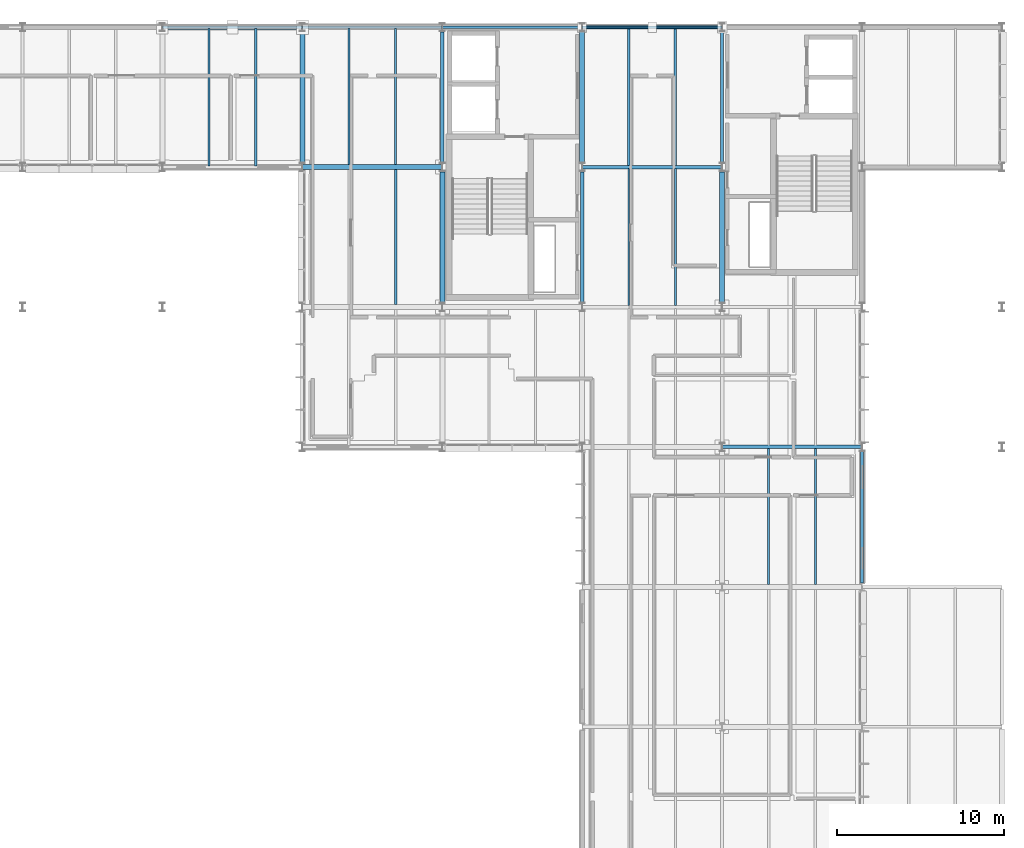
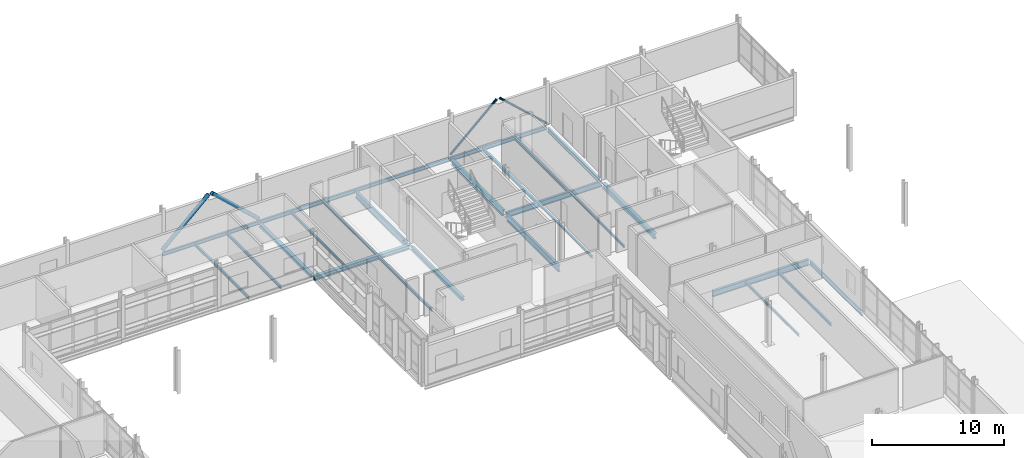
# One storey, part 104 of 151: 26 beams, 4 members.
"""IFC4 building model written with IfcOpenShell, lengths in metres."""

from ifc_helpers import new_model, si_unit, direction, frame, origin, origin_2d, place, context, subcontext, project, spatial, hollow_circle, i_section, extrude, material, material_profile, profile_set, type_object, element, save


model = new_model("IFC4")

# Units and contexts
model_context = context("Model", 3, precision=1e-05, world=origin(), true_north=direction((0.0, 1.0)))
body_context = subcontext(model_context, "Body", "Model", "MODEL_VIEW")
ifc_project = project(units=[si_unit("LENGTHUNIT", "METRE"), si_unit("AREAUNIT", "SQUARE_METRE"), si_unit("VOLUMEUNIT", "CUBIC_METRE"), si_unit("PLANEANGLEUNIT", "RADIAN"), si_unit("MASSUNIT", "GRAM", prefix="KILO")], contexts=[model_context])

# Site, building, storey
site_placement = place(None, origin())
site = spatial("IfcSite", under=ifc_project, at=site_placement, CompositionType="ELEMENT")
building_placement = place(site_placement, origin())
building = spatial("IfcBuilding", under=site, at=building_placement, Name="Mersafa Astral City Hall", CompositionType="ELEMENT")
storey_placement = place(building_placement, frame((0.0, 0.0, 9.89990234375)))
storey = spatial("IfcBuildingStorey", under=building, at=storey_placement, Name="L02", CompositionType="ELEMENT", Elevation=9.89990234375)

# Beams
ifc_material = material(Name="Steel S355", Category="steel")
ifc_material_profile_1 = material_profile(ifc_material, i_section(OverallWidth=0.300048828125, OverallDepth=0.31005859375, WebThickness=0.009033203125, FlangeThickness=0.015380859375, FilletRadius=0.027099609375, at=origin_2d()), Name="HEA 320")
ifc_profile_set_1 = profile_set([ifc_material_profile_1], Name="Steel S355")
beam_type_1 = type_object("IfcBeamType", Name="STR-BM-HEA320", PredefinedType="BEAM", material=ifc_profile_set_1)
beam_1_placement = place(storey_placement, frame((142.800048828125, 117.89501953125, -0.35498046875), z_axis=(0.0, 1.0, 0.0), x_axis=(-1.0, 0.0, 0.0)))
element("IfcBeam", 1, at=beam_1_placement, inside=storey, type_object=beam_type_1, Name="L02 Primary girder Y 17-14", PredefinedType="BEAM", context=body_context, shape_type="SweptSolid", body=[
    extrude(i_section(OverallWidth=0.300048828125, OverallDepth=0.31005859375, WebThickness=0.009033203125, FlangeThickness=0.015380859375, FilletRadius=0.027099609375, at=origin_2d()), origin(), (0.0, 0.0, 1.0), 7.81005859375),
])
beam_2_placement = place(storey_placement, frame((151.199951171875, 109.4951171875, -0.35498046875), z_axis=(0.0, 1.0, 0.0), x_axis=(-1.0, 0.0, 0.0)))
element("IfcBeam", 2, at=beam_2_placement, inside=storey, type_object=beam_type_1, Name="L02 Primary girder Y 18-13", PredefinedType="BEAM", context=body_context, shape_type="SweptSolid", body=[
    extrude(i_section(OverallWidth=0.300048828125, OverallDepth=0.31005859375, WebThickness=0.009033203125, FlangeThickness=0.015380859375, FilletRadius=0.027099609375, at=origin_2d()), origin(), (0.0, 0.0, 1.0), 7.809814453125),
])
ifc_material_profile_2 = material_profile(ifc_material, i_section(OverallWidth=0.300048828125, OverallDepth=0.389892578125, WebThickness=0.010986328125, FlangeThickness=0.01904296875, FilletRadius=0.027099609375, at=origin_2d()), Name="HEA 400")
ifc_profile_set_2 = profile_set([ifc_material_profile_2], Name="Steel S355")
beam_type_2 = type_object("IfcBeamType", Name="STR-BM-HEA400", PredefinedType="BEAM", material=ifc_profile_set_2)
beam_3_placement = place(storey_placement, frame((142.802978515625, 117.60009765625, -0.39501953125), z_axis=(1.0, 0.0, 0.0), x_axis=(0.0, 1.0, 0.0)))
element("IfcBeam", 3, at=beam_3_placement, inside=storey, type_object=beam_type_2, Name="L02 Primary girder X 17-14", PredefinedType="BEAM", context=body_context, shape_type="SweptSolid", body=[
    extrude(i_section(OverallWidth=0.300048828125, OverallDepth=0.389892578125, WebThickness=0.010986328125, FlangeThickness=0.01904296875, FilletRadius=0.027099609375, at=origin_2d()), origin(), (0.0, 0.0, 1.0), 8.39404296875),
])
ifc_material_profile_3 = material_profile(ifc_material, i_section(OverallWidth=0.300048828125, OverallDepth=0.489990234375, WebThickness=0.011962890625, FlangeThickness=0.02294921875, FilletRadius=0.027099609375, at=origin_2d()), Name="HEA 500")
ifc_profile_set_3 = profile_set([ifc_material_profile_3], Name="Steel S355")
beam_type_3 = type_object("IfcBeamType", Name="STR-BM-HEA500", PredefinedType="BEAM", material=ifc_profile_set_3)
beam_4_placement = place(storey_placement, frame((159.60009765625, 117.89501953125, -0.44482421875), z_axis=(0.0, 1.0, 0.0), x_axis=(-1.0, 0.0, 0.0)))
element("IfcBeam", 4, at=beam_4_placement, inside=storey, type_object=beam_type_3, Name="L02 Primary girder Y 19-14", PredefinedType="BEAM", context=body_context, shape_type="SweptSolid", body=[
    extrude(i_section(OverallWidth=0.300048828125, OverallDepth=0.489990234375, WebThickness=0.011962890625, FlangeThickness=0.02294921875, FilletRadius=0.027099609375, at=origin_2d()), origin(), (0.0, 0.0, 1.0), 7.81005859375),
])
beam_5_placement = place(storey_placement, frame((168.0, 109.4951171875, -0.44482421875), z_axis=(0.0, 1.0, 0.0), x_axis=(-1.0, 0.0, 0.0)))
element("IfcBeam", 5, at=beam_5_placement, inside=storey, type_object=beam_type_3, Name="L02 Primary girder Y 20-13", PredefinedType="BEAM", context=body_context, shape_type="SweptSolid", body=[
    extrude(i_section(OverallWidth=0.300048828125, OverallDepth=0.489990234375, WebThickness=0.011962890625, FlangeThickness=0.02294921875, FilletRadius=0.027099609375, at=origin_2d()), origin(), (0.0, 0.0, 1.0), 7.809814453125),
])
ifc_material_profile_4 = material_profile(ifc_material, i_section(OverallWidth=0.179931640625, OverallDepth=0.39990234375, WebThickness=0.008544921875, FlangeThickness=0.013427734375, FilletRadius=0.02099609375, at=origin_2d()), Name="IPE 400")
ifc_profile_set_4 = profile_set([ifc_material_profile_4], Name="Steel S355")
beam_type_4 = type_object("IfcBeamType", Name="STR-BM-IPE400", PredefinedType="BEAM", material=ifc_profile_set_4)
beam_6_placement = place(storey_placement, frame((168.0, 117.89501953125, -0.39990234375), z_axis=(0.0, 1.0, 0.0), x_axis=(-1.0, 0.0, 0.0)))
element("IfcBeam", 6, at=beam_6_placement, inside=storey, type_object=beam_type_4, Name="L02 Primary girder Y 20-14", PredefinedType="BEAM", context=body_context, shape_type="SweptSolid", body=[
    extrude(i_section(OverallWidth=0.179931640625, OverallDepth=0.39990234375, WebThickness=0.008544921875, FlangeThickness=0.013427734375, FilletRadius=0.02099609375, at=origin_2d()), origin(), (0.0, 0.0, 1.0), 7.81005859375),
])
ifc_material_profile_5 = material_profile(ifc_material, i_section(OverallWidth=0.199951171875, OverallDepth=0.5, WebThickness=0.01025390625, FlangeThickness=0.01611328125, FilletRadius=0.02099609375, at=origin_2d()), Name="IPE 500")
ifc_profile_set_5 = profile_set([ifc_material_profile_5], Name="Steel S355")
beam_type_5 = type_object("IfcBeamType", Name="STR-BM-IPE500", PredefinedType="BEAM", material=ifc_profile_set_5)
beam_7_placement = place(storey_placement, frame((159.60302734375, 117.60009765625, -0.449951171875), z_axis=(1.0, 0.0, 0.0), x_axis=(0.0, 1.0, 0.0)))
element("IfcBeam", 7, at=beam_7_placement, inside=storey, type_object=beam_type_5, Name="L02 Primary girder X 19-14", PredefinedType="BEAM", context=body_context, shape_type="SweptSolid", body=[
    extrude(i_section(OverallWidth=0.199951171875, OverallDepth=0.5, WebThickness=0.01025390625, FlangeThickness=0.01611328125, FilletRadius=0.02099609375, at=origin_2d()), origin(), (0.0, 0.0, 1.0), 8.39404296875),
])
ifc_material_profile_6 = material_profile(ifc_material, i_section(OverallWidth=0.2099609375, OverallDepth=0.550048828125, WebThickness=0.010986328125, FlangeThickness=0.01708984375, FilletRadius=0.02392578125, at=origin_2d()), Name="IPE 550")
ifc_profile_set_6 = profile_set([ifc_material_profile_6], Name="Steel S355")
beam_type_6 = type_object("IfcBeamType", Name="STR-BM-IPE550", PredefinedType="BEAM", material=ifc_profile_set_6)
beam_8_placement = place(storey_placement, frame((168.0029296875, 100.800048828125, -0.474853515625), z_axis=(1.0, 0.0, 0.0), x_axis=(0.0, 1.0, 0.0)))
element("IfcBeam", 8, at=beam_8_placement, inside=storey, type_object=beam_type_6, Name="L02 Primary girder X 20-12", PredefinedType="BEAM", context=body_context, shape_type="SweptSolid", body=[
    extrude(i_section(OverallWidth=0.2099609375, OverallDepth=0.550048828125, WebThickness=0.010986328125, FlangeThickness=0.01708984375, FilletRadius=0.02392578125, at=origin_2d()), origin(), (0.0, 0.0, 1.0), 8.39404296875),
])
ifc_material_profile_7 = material_profile(ifc_material, i_section(OverallWidth=0.219970703125, OverallDepth=0.60009765625, WebThickness=0.011962890625, FlangeThickness=0.01904296875, FilletRadius=0.02392578125, at=origin_2d()), Name="IPE 600")
ifc_profile_set_7 = profile_set([ifc_material_profile_7], Name="Steel S355")
beam_type_7 = type_object("IfcBeamType", Name="STR-BM-IPE600", PredefinedType="BEAM", material=ifc_profile_set_7)
beam_9_placement = place(storey_placement, frame((151.199951171875, 117.89501953125, -0.5), z_axis=(0.0, 1.0, 0.0), x_axis=(-1.0, 0.0, 0.0)))
element("IfcBeam", 9, at=beam_9_placement, inside=storey, type_object=beam_type_7, Name="L02 Primary girder Y 18-14", PredefinedType="BEAM", context=body_context, shape_type="SweptSolid", body=[
    extrude(i_section(OverallWidth=0.219970703125, OverallDepth=0.60009765625, WebThickness=0.011962890625, FlangeThickness=0.01904296875, FilletRadius=0.02392578125, at=origin_2d()), origin(), (0.0, 0.0, 1.0), 7.81005859375),
])
beam_10_placement = place(storey_placement, frame((159.60009765625, 109.4951171875, -0.5), z_axis=(0.0, 1.0, 0.0), x_axis=(-1.0, 0.0, 0.0)))
element("IfcBeam", 10, at=beam_10_placement, inside=storey, type_object=beam_type_7, Name="L02 Primary girder Y 19-13", PredefinedType="BEAM", context=body_context, shape_type="SweptSolid", body=[
    extrude(i_section(OverallWidth=0.219970703125, OverallDepth=0.60009765625, WebThickness=0.011962890625, FlangeThickness=0.01904296875, FilletRadius=0.02392578125, at=origin_2d()), origin(), (0.0, 0.0, 1.0), 7.809814453125),
])
ifc_material_profile_8 = material_profile(ifc_material, i_section(OverallWidth=0.110107421875, OverallDepth=0.219970703125, WebThickness=0.005859375, FlangeThickness=0.00927734375, FilletRadius=0.011962890625, at=origin_2d()), Name="IPE 220")
ifc_profile_set_8 = profile_set([ifc_material_profile_8], Name="Steel S355")
beam_type_8 = type_object("IfcBeamType", Name="STR-BM-JOIST-IPE220", PredefinedType="JOIST", material=ifc_profile_set_8)
for number, where, z_axis, x_axis, name in (
    (11, (162.39990234375, 109.300048828125, -0.309814453125), (0.0, 1.0, 0.0), (-1.0, 0.0, 0.0), "L02 Composite secondary floor joist 536"),
    (12, (165.199951171875, 109.300048828125, -0.309814453125), (0.0, 1.0, 0.0), (-1.0, 0.0, 0.0), "L02 Composite secondary floor joist 537"),
):
    element("IfcBeam", number, at=place(storey_placement, frame(where, z_axis=z_axis, x_axis=x_axis)), inside=storey, type_object=beam_type_8, Name=name, PredefinedType="JOIST", context=body_context, shape_type="SweptSolid", body=[
        extrude(i_section(OverallWidth=0.110107421875, OverallDepth=0.219970703125, WebThickness=0.005859375, FlangeThickness=0.00927734375, FilletRadius=0.011962890625, at=origin_2d()), origin(), (0.0, 0.0, 1.0), 8.204833984375),
    ])
ifc_material_profile_9 = material_profile(ifc_material, i_section(OverallWidth=0.1201171875, OverallDepth=0.239990234375, WebThickness=0.006103515625, FlangeThickness=0.009765625, FilletRadius=0.014892578125, at=origin_2d()), Name="IPE 240")
ifc_profile_set_9 = profile_set([ifc_material_profile_9], Name="Steel S355")
beam_type_9 = type_object("IfcBeamType", Name="STR-BM-JOIST-IPE240", PredefinedType="JOIST", material=ifc_profile_set_9)
for number, where, z_axis, x_axis, name in (
    (13, (145.60009765625, 117.7451171875, -0.31982421875), (0.0, 1.0, 0.0), (-1.0, 0.0, 0.0), "L02 Composite secondary floor joist 518"),
    (14, (148.39990234375, 117.7451171875, -0.31982421875), (0.0, 1.0, 0.0), (-1.0, 0.0, 0.0), "L02 Composite secondary floor joist 519"),
):
    element("IfcBeam", number, at=place(storey_placement, frame(where, z_axis=z_axis, x_axis=x_axis)), inside=storey, type_object=beam_type_9, Name=name, PredefinedType="JOIST", context=body_context, shape_type="SweptSolid", body=[
        extrude(i_section(OverallWidth=0.1201171875, OverallDepth=0.239990234375, WebThickness=0.006103515625, FlangeThickness=0.009765625, FilletRadius=0.014892578125, at=origin_2d()), origin(), (0.0, 0.0, 1.0), 8.1748046875),
    ])
for number, where, z_axis, x_axis, name in (
    (15, (170.800048828125, 92.544921875, -0.31982421875), (0.0, 1.0, 0.0), (-1.0, 0.0, 0.0), "L02 Composite secondary floor joist 547"),
    (16, (173.60009765625, 92.544921875, -0.31982421875), (0.0, 1.0, 0.0), (-1.0, 0.0, 0.0), "L02 Composite secondary floor joist 548"),
):
    element("IfcBeam", number, at=place(storey_placement, frame(where, z_axis=z_axis, x_axis=x_axis)), inside=storey, type_object=beam_type_9, Name=name, PredefinedType="JOIST", context=body_context, shape_type="SweptSolid", body=[
        extrude(i_section(OverallWidth=0.1201171875, OverallDepth=0.239990234375, WebThickness=0.006103515625, FlangeThickness=0.009765625, FilletRadius=0.014892578125, at=origin_2d()), origin(), (0.0, 0.0, 1.0), 8.155029296875),
    ])
ifc_material_profile_10 = material_profile(ifc_material, i_section(OverallWidth=0.135009765625, OverallDepth=0.27001953125, WebThickness=0.006591796875, FlangeThickness=0.01025390625, FilletRadius=0.014892578125, at=origin_2d()), Name="IPE 270")
ifc_profile_set_10 = profile_set([ifc_material_profile_10], Name="Steel S355")
beam_type_10 = type_object("IfcBeamType", Name="STR-BM-JOIST-IPE270", PredefinedType="JOIST", material=ifc_profile_set_10)
for number, where, z_axis, x_axis, name in (
    (17, (137.199951171875, 117.679931640625, -0.3349609375), (0.0, 1.0, 0.0), (-1.0, 0.0, 0.0), "L02 Composite secondary floor joist 512"),
    (18, (140.0, 117.679931640625, -0.3349609375), (0.0, 1.0, 0.0), (-1.0, 0.0, 0.0), "L02 Composite secondary floor joist 513"),
):
    element("IfcBeam", number, at=place(storey_placement, frame(where, z_axis=z_axis, x_axis=x_axis)), inside=storey, type_object=beam_type_10, Name=name, PredefinedType="JOIST", context=body_context, shape_type="SweptSolid", body=[
        extrude(i_section(OverallWidth=0.135009765625, OverallDepth=0.27001953125, WebThickness=0.006591796875, FlangeThickness=0.01025390625, FilletRadius=0.014892578125, at=origin_2d()), origin(), (0.0, 0.0, 1.0), 8.2451171875),
    ])
beam_11_placement = place(storey_placement, frame((148.39990234375, 109.344970703125, -0.3349609375), z_axis=(0.0, 1.0, 0.0), x_axis=(-1.0, 0.0, 0.0)))
element("IfcBeam", 19, at=beam_11_placement, inside=storey, type_object=beam_type_10, Name="L02 Composite secondary floor joist 517", PredefinedType="JOIST", context=body_context, shape_type="SweptSolid", body=[
    extrude(i_section(OverallWidth=0.135009765625, OverallDepth=0.27001953125, WebThickness=0.006591796875, FlangeThickness=0.01025390625, FilletRadius=0.014892578125, at=origin_2d()), origin(), (0.0, 0.0, 1.0), 8.110107421875),
])
ifc_material_profile_11 = material_profile(ifc_material, i_section(OverallWidth=0.14990234375, OverallDepth=0.300048828125, WebThickness=0.007080078125, FlangeThickness=0.0107421875, FilletRadius=0.014892578125, at=origin_2d()), Name="IPE 300")
ifc_profile_set_11 = profile_set([ifc_material_profile_11], Name="Steel S355")
beam_type_11 = type_object("IfcBeamType", Name="STR-BM-JOIST-IPE300", PredefinedType="JOIST", material=ifc_profile_set_11)
for number, where, z_axis, x_axis, name in (
    (20, (162.39990234375, 117.695068359375, -0.349853515625), (0.0, 1.0, 0.0), (-1.0, 0.0, 0.0), "L02 Composite secondary floor joist 538"),
    (21, (165.199951171875, 117.695068359375, -0.349853515625), (0.0, 1.0, 0.0), (-1.0, 0.0, 0.0), "L02 Composite secondary floor joist 539"),
):
    element("IfcBeam", number, at=place(storey_placement, frame(where, z_axis=z_axis, x_axis=x_axis)), inside=storey, type_object=beam_type_11, Name=name, PredefinedType="JOIST", context=body_context, shape_type="SweptSolid", body=[
        extrude(i_section(OverallWidth=0.14990234375, OverallDepth=0.300048828125, WebThickness=0.007080078125, FlangeThickness=0.0107421875, FilletRadius=0.014892578125, at=origin_2d()), origin(), (0.0, 0.0, 1.0), 8.224853515625),
    ])
ifc_material_profile_12 = material_profile(ifc_material, i_section(OverallWidth=0.159912109375, OverallDepth=0.330078125, WebThickness=0.007568359375, FlangeThickness=0.011474609375, FilletRadius=0.01806640625, at=origin_2d()), Name="IPE 330")
ifc_profile_set_12 = profile_set([ifc_material_profile_12], Name="Steel S355")
beam_type_12 = type_object("IfcBeamType", Name="STR-BM-SPANDREL-IPE330", PredefinedType="SPANDREL", material=ifc_profile_set_12)
for number, where, z_axis, x_axis, name in (
    (22, (134.403076171875, 126.0, -0.364990234375), (1.0, 0.0, 0.0), (0.0, 1.0, 0.0), "L02 Primary girder X 16-15"),
    (23, (151.202880859375, 126.0, -0.364990234375), (1.0, 0.0, 0.0), (0.0, 1.0, 0.0), "L02 Primary girder X 18-15"),
):
    element("IfcBeam", number, at=place(storey_placement, frame(where, z_axis=z_axis, x_axis=x_axis)), inside=storey, type_object=beam_type_12, Name=name, PredefinedType="SPANDREL", context=body_context, shape_type="SweptSolid", body=[
        extrude(i_section(OverallWidth=0.159912109375, OverallDepth=0.330078125, WebThickness=0.007568359375, FlangeThickness=0.011474609375, FilletRadius=0.01806640625, at=origin_2d()), origin(), (0.0, 0.0, 1.0), 8.39404296875),
    ])
ifc_material_profile_13 = material_profile(ifc_material, i_section(OverallWidth=0.169921875, OverallDepth=0.360107421875, WebThickness=0.008056640625, FlangeThickness=0.0126953125, FilletRadius=0.01806640625, at=origin_2d()), Name="IPE 360")
ifc_profile_set_13 = profile_set([ifc_material_profile_13], Name="Steel S355")
beam_type_13 = type_object("IfcBeamType", Name="STR-BM-SPANDREL-IPE360", PredefinedType="SPANDREL", material=ifc_profile_set_13)
for number, where, z_axis, x_axis, name in (
    (24, (142.802978515625, 126.0, -0.3798828125), (1.0, 0.0, 0.0), (0.0, 1.0, 0.0), "L02 Primary girder X 17-15"),
    (25, (159.60302734375, 126.0, -0.3798828125), (1.0, 0.0, 0.0), (0.0, 1.0, 0.0), "L02 Primary girder X 19-15"),
):
    element("IfcBeam", number, at=place(storey_placement, frame(where, z_axis=z_axis, x_axis=x_axis)), inside=storey, type_object=beam_type_13, Name=name, PredefinedType="SPANDREL", context=body_context, shape_type="SweptSolid", body=[
        extrude(i_section(OverallWidth=0.169921875, OverallDepth=0.360107421875, WebThickness=0.008056640625, FlangeThickness=0.0126953125, FilletRadius=0.01806640625, at=origin_2d()), origin(), (0.0, 0.0, 1.0), 8.39404296875),
    ])
beam_12_placement = place(storey_placement, frame((176.39990234375, 92.64501953125, -0.3798828125), z_axis=(0.0, 1.0, 0.0), x_axis=(-1.0, 0.0, 0.0)))
element("IfcBeam", 26, at=beam_12_placement, inside=storey, type_object=beam_type_13, Name="L02 Primary girder Y 21-11", PredefinedType="SPANDREL", context=body_context, shape_type="SweptSolid", body=[
    extrude(i_section(OverallWidth=0.169921875, OverallDepth=0.360107421875, WebThickness=0.008056640625, FlangeThickness=0.0126953125, FilletRadius=0.01806640625, at=origin_2d()), origin(), (0.0, 0.0, 1.0), 7.909912109375),
])

# Members
ifc_material_profile_14 = material_profile(ifc_material, hollow_circle(Radius=0.096923828125, WallThickness=0.010009765625, at=origin_2d()), Name="CHS 193.7x10")
ifc_profile_set_14 = profile_set([ifc_material_profile_14], Name="Steel S355")
member_type_1 = type_object("IfcMemberType", Name="STR-MBR-BRACE-CHS194", PredefinedType="BRACE", material=ifc_profile_set_14)
for number, where, z_axis, x_axis, name in (
    (27, (159.597900390625, 126.0, 0.02001953125), (0.736569496394, 0.0, 0.676361868368), (0.0, 1.0, 0.0), "L02 Chevron lateral brace 25A"),
    (28, (168.001953125, 126.0, 0.02001953125), (-0.736569496394, 0.0, 0.676361868368), (0.0, -1.0, 0.0), "L02 Chevron lateral brace 25B"),
):
    element("IfcMember", number, at=place(storey_placement, frame(where, z_axis=z_axis, x_axis=x_axis)), inside=storey, type_object=member_type_1, Name=name, PredefinedType="BRACE", context=body_context, shape_type="SweptSolid", body=[
        extrude(hollow_circle(Radius=0.096923828125, WallThickness=0.010009765625, at=origin_2d()), origin(), (0.0, 0.0, 1.0), 5.5146484375),
    ])
ifc_material_profile_15 = material_profile(ifc_material, hollow_circle(Radius=0.161865234375, WallThickness=0.01611328125, at=origin_2d()), Name="CHS 323.9x16")
ifc_profile_set_15 = profile_set([ifc_material_profile_15], Name="Steel S355")
member_type_2 = type_object("IfcMemberType", Name="STR-MBR-BRACE-CHS324", PredefinedType="BRACE", material=ifc_profile_set_15)
for number, where, z_axis, x_axis, name in (
    (29, (134.39794921875, 126.0, 0.02001953125), (0.73386083636, 0.0, 0.679299840172), (0.0, 1.0, 0.0), "L02 Chevron lateral brace 16A"),
    (30, (142.802001953125, 126.0, 0.02001953125), (-0.73386083636, 0.0, 0.679299840172), (0.0, -1.0, 0.0), "L02 Chevron lateral brace 16B"),
):
    element("IfcMember", number, at=place(storey_placement, frame(where, z_axis=z_axis, x_axis=x_axis)), inside=storey, type_object=member_type_2, Name=name, PredefinedType="BRACE", context=body_context, shape_type="SweptSolid", body=[
        extrude(hollow_circle(Radius=0.161865234375, WallThickness=0.01611328125, at=origin_2d()), origin(), (0.0, 0.0, 1.0), 5.53515625),
    ])

save(model, "model.ifc")
